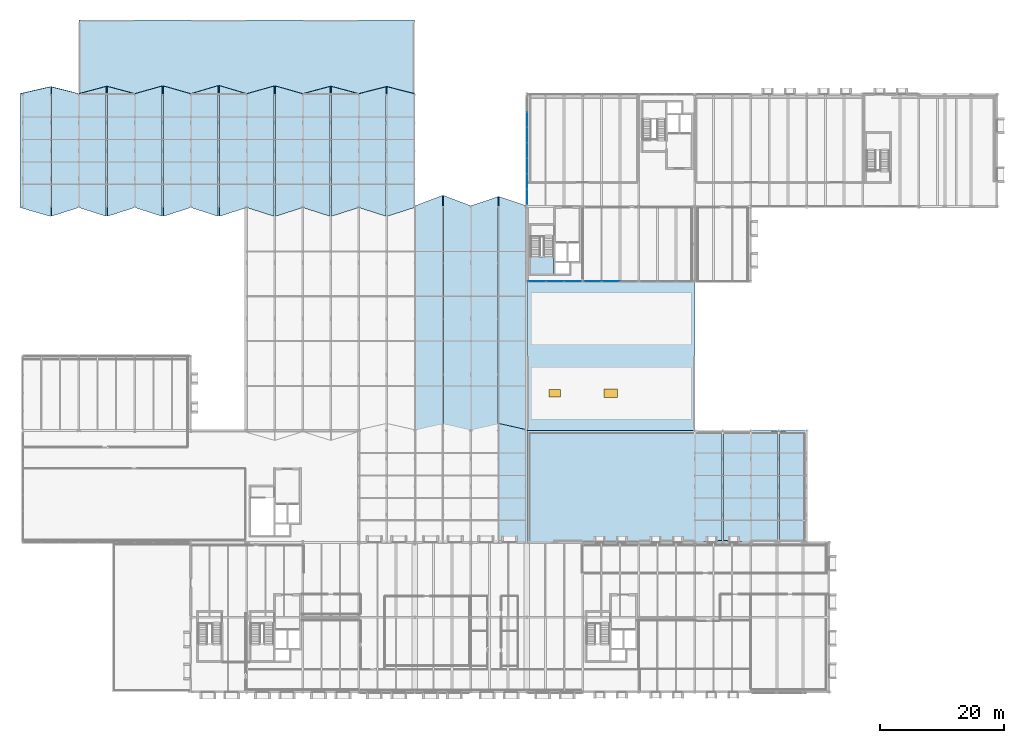
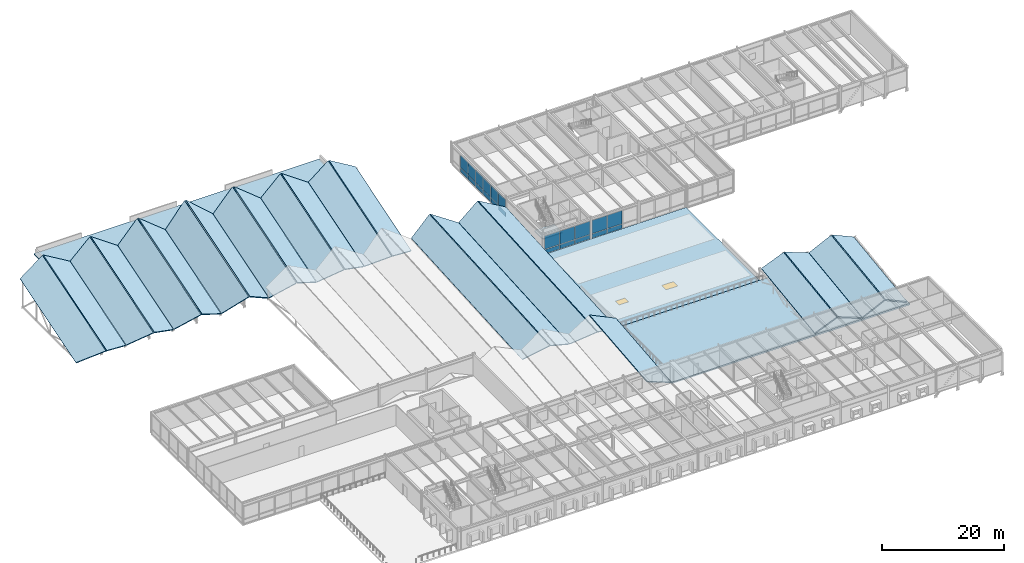
# One storey, part 105 of 142: 27 slabs, 22 plates, 2 windows, 2 openings, 8 elements without a shape of their own.
"""IFC4 building model written with IfcOpenShell, lengths in metres."""

from ifc_helpers import new_model, si_unit, direction, frame, origin, origin_2d, place, context, subcontext, project, spatial, polyline, rectangle, outline, extrude, material, layer, layer_set, type_object, element, fill, aggregate, save


model = new_model("IFC4")

# Units and contexts
model_context = context("Model", 3, precision=1e-05, world=origin(), true_north=direction((0.0, 1.0)))
body_context = subcontext(model_context, "Body", "Model", "MODEL_VIEW")
ifc_project = project(units=[si_unit("LENGTHUNIT", "METRE"), si_unit("AREAUNIT", "SQUARE_METRE"), si_unit("VOLUMEUNIT", "CUBIC_METRE"), si_unit("PLANEANGLEUNIT", "RADIAN"), si_unit("MASSUNIT", "GRAM", prefix="KILO")], contexts=[model_context])

# Site, building, storey
site_placement = place(None, origin())
site = spatial("IfcSite", under=ifc_project, at=site_placement, CompositionType="ELEMENT")
building_placement = place(site_placement, origin())
building = spatial("IfcBuilding", under=site, at=building_placement, Name="Montelvaro Courts of Justice", CompositionType="ELEMENT")
storey_placement = place(building_placement, frame((0.0, 0.0, 14.39990234375)))
storey = spatial("IfcBuildingStorey", under=building, at=storey_placement, Name="L03", CompositionType="ELEMENT", Elevation=14.39990234375)

# Curtain wall, plates
ifc_material_1 = material(Name="Anodised aluminium EN AW-6063", Category="aluminium")
ifc_layer_1 = layer(ifc_material_1, 0.159912109375)
ifc_layer_set_1 = layer_set([ifc_layer_1], Name="Anodised aluminium EN AW-6063")
curtain_wall_type_1 = type_object("IfcCurtainWallType", Name="CurtainWall_14_867x418", PredefinedType="USERDEFINED", material=ifc_layer_set_1)
curtain_wall_1_placement = place(storey_placement, origin())
curtain_wall_1 = element("IfcCurtainWall", 1, at=curtain_wall_1_placement, inside=storey, type_object=curtain_wall_type_1, Name="Curtain Wall CW-14 (L03)", ObjectType="CURTAIN WALL", PredefinedType="USERDEFINED")
ifc_material_2 = material(Name="Low-E solar control double glazing", Category="glass")
ifc_layer_2 = layer(ifc_material_2, 0.028076171875)
ifc_layer_set_2 = layer_set([ifc_layer_2], Name="Low-E solar control double glazing")
plate_type = type_object("IfcPlateType", Name="CurtainWall_Glazed_Panel_28", PredefinedType="CURTAIN_PANEL", material=ifc_layer_set_2)
plate_1_placement = place(storey_placement, frame((100.65283203125, 66.0, 0.0751953125), z_axis=(0.0, 0.0, 1.0), x_axis=(1.0, 0.0, 0.0)))
plate_1 = element("IfcPlate", 2, at=plate_1_placement, type_object=plate_type, Name="CW-14 panel 1.1", PredefinedType="CURTAIN_PANEL", context=body_context, shape_type="SweptSolid", body=[
    extrude(rectangle(XDim=2.785888671875, YDim=0.028076171875, at=origin_2d()), origin(), (0.0, 0.0, 1.0), 0.83740234375),
])
plate_2_placement = place(storey_placement, frame((100.65283203125, 66.0, 0.987548828125), z_axis=(0.0, 0.0, 1.0), x_axis=(1.0, 0.0, 0.0)))
plate_2 = element("IfcPlate", 3, at=plate_2_placement, type_object=plate_type, Name="CW-14 panel 1.2", PredefinedType="CURTAIN_PANEL", context=body_context, shape_type="SweptSolid", body=[
    extrude(rectangle(XDim=2.785888671875, YDim=0.028076171875, at=origin_2d()), origin(), (0.0, 0.0, 1.0), 2.642578125),
])
plate_3_placement = place(storey_placement, frame((103.52001953125, 66.0, 0.0751953125), z_axis=(0.0, 0.0, 1.0), x_axis=(1.0, 0.0, 0.0)))
plate_3 = element("IfcPlate", 4, at=plate_3_placement, type_object=plate_type, Name="CW-14 panel 2.1", PredefinedType="CURTAIN_PANEL", context=body_context, shape_type="SweptSolid", body=[
    extrude(rectangle(XDim=2.818359375, YDim=0.028076171875, at=origin_2d()), origin(), (0.0, 0.0, 1.0), 0.83740234375),
])
plate_4_placement = place(storey_placement, frame((103.52001953125, 66.0, 0.987548828125), z_axis=(0.0, 0.0, 1.0), x_axis=(1.0, 0.0, 0.0)))
plate_4 = element("IfcPlate", 5, at=plate_4_placement, type_object=plate_type, Name="CW-14 panel 2.2", PredefinedType="CURTAIN_PANEL", context=body_context, shape_type="SweptSolid", body=[
    extrude(rectangle(XDim=2.818359375, YDim=0.028076171875, at=origin_2d()), origin(), (0.0, 0.0, 1.0), 2.642578125),
])
plate_5_placement = place(storey_placement, frame((106.386962890625, 66.0, 0.0751953125), z_axis=(0.0, 0.0, 1.0), x_axis=(1.0, 0.0, 0.0)))
plate_5 = element("IfcPlate", 6, at=plate_5_placement, type_object=plate_type, Name="CW-14 panel 3.1", PredefinedType="CURTAIN_PANEL", context=body_context, shape_type="SweptSolid", body=[
    extrude(rectangle(XDim=2.785888671875, YDim=0.028076171875, at=origin_2d()), origin(), (0.0, 0.0, 1.0), 0.83740234375),
])
plate_6_placement = place(storey_placement, frame((106.386962890625, 66.0, 0.987548828125), z_axis=(0.0, 0.0, 1.0), x_axis=(1.0, 0.0, 0.0)))
plate_6 = element("IfcPlate", 7, at=plate_6_placement, type_object=plate_type, Name="CW-14 panel 3.2", PredefinedType="CURTAIN_PANEL", context=body_context, shape_type="SweptSolid", body=[
    extrude(rectangle(XDim=2.785888671875, YDim=0.028076171875, at=origin_2d()), origin(), (0.0, 0.0, 1.0), 2.642578125),
])
aggregate(curtain_wall_1, [plate_1, plate_2, plate_3, plate_4, plate_5, plate_6])

ifc_layer_3 = layer(ifc_material_1, 0.159912109375)
ifc_layer_set_3 = layer_set([ifc_layer_3], Name="Anodised aluminium EN AW-6063")
curtain_wall_type_2 = type_object("IfcCurtainWallType", Name="CurtainWall_18_868x418", PredefinedType="USERDEFINED", material=ifc_layer_set_3)
curtain_wall_2_placement = place(storey_placement, origin())
curtain_wall_2 = element("IfcCurtainWall", 8, at=curtain_wall_2_placement, inside=storey, type_object=curtain_wall_type_2, Name="Curtain Wall CW-18 (L03)", ObjectType="CURTAIN WALL", PredefinedType="USERDEFINED")
plate_7_placement = place(storey_placement, frame((109.620361328125, 66.0, 0.06005859375), z_axis=(0.0, 0.0, 1.0), x_axis=(1.0, 0.0, 0.0)))
plate_7 = element("IfcPlate", 9, at=plate_7_placement, type_object=plate_type, Name="CW-18 panel 1.1", PredefinedType="CURTAIN_PANEL", context=body_context, shape_type="SweptSolid", body=[
    extrude(rectangle(XDim=2.78076171875, YDim=0.028076171875, at=origin_2d()), origin(), (0.0, 0.0, 1.0), 0.860107421875),
])
plate_8_placement = place(storey_placement, frame((109.620361328125, 66.0, 0.97998046875), z_axis=(0.0, 0.0, 1.0), x_axis=(1.0, 0.0, 0.0)))
plate_8 = element("IfcPlate", 10, at=plate_8_placement, type_object=plate_type, Name="CW-18 panel 1.2", PredefinedType="CURTAIN_PANEL", context=body_context, shape_type="SweptSolid", body=[
    extrude(rectangle(XDim=2.78076171875, YDim=0.028076171875, at=origin_2d()), origin(), (0.0, 0.0, 1.0), 2.6650390625),
])
plate_9_placement = place(storey_placement, frame((112.4951171875, 66.0, 0.06005859375), z_axis=(0.0, 0.0, 1.0), x_axis=(1.0, 0.0, 0.0)))
plate_9 = element("IfcPlate", 11, at=plate_9_placement, type_object=plate_type, Name="CW-18 panel 2.1", PredefinedType="CURTAIN_PANEL", context=body_context, shape_type="SweptSolid", body=[
    extrude(rectangle(XDim=2.818359375, YDim=0.028076171875, at=origin_2d()), origin(), (0.0, 0.0, 1.0), 0.860107421875),
])
plate_10_placement = place(storey_placement, frame((112.4951171875, 66.0, 0.97998046875), z_axis=(0.0, 0.0, 1.0), x_axis=(1.0, 0.0, 0.0)))
plate_10 = element("IfcPlate", 12, at=plate_10_placement, type_object=plate_type, Name="CW-18 panel 2.2", PredefinedType="CURTAIN_PANEL", context=body_context, shape_type="SweptSolid", body=[
    extrude(rectangle(XDim=2.818359375, YDim=0.028076171875, at=origin_2d()), origin(), (0.0, 0.0, 1.0), 2.6650390625),
])
aggregate(curtain_wall_2, [plate_7, plate_8, plate_9, plate_10])

ifc_layer_4 = layer(ifc_material_1, 0.159912109375)
ifc_layer_set_4 = layer_set([ifc_layer_4], Name="Anodised aluminium EN AW-6063")
curtain_wall_type_3 = type_object("IfcCurtainWallType", Name="CurtainWall_30_1742x418", PredefinedType="USERDEFINED", material=ifc_layer_set_4)
curtain_wall_3_placement = place(storey_placement, origin())
curtain_wall_3 = element("IfcCurtainWall", 13, at=curtain_wall_3_placement, inside=storey, type_object=curtain_wall_type_3, Name="Curtain Wall CW-30 (L03)", ObjectType="CURTAIN WALL", PredefinedType="USERDEFINED")
plate_11_placement = place(storey_placement, frame((99.050048828125, 91.97705078125, 0.06005859375), z_axis=(0.0, 0.0, 1.0), x_axis=(0.0, -1.0, 0.0)))
plate_11 = element("IfcPlate", 14, at=plate_11_placement, type_object=plate_type, Name="CW-30 panel 2.1", PredefinedType="CURTAIN_PANEL", context=body_context, shape_type="SweptSolid", body=[
    extrude(rectangle(XDim=2.428466796875, YDim=0.028076171875, at=origin_2d()), origin(), (0.0, 0.0, 1.0), 0.860107421875),
])
plate_12_placement = place(storey_placement, frame((99.050048828125, 91.97705078125, 0.980224609375), z_axis=(0.0, 0.0, 1.0), x_axis=(0.0, -1.0, 0.0)))
plate_12 = element("IfcPlate", 15, at=plate_12_placement, type_object=plate_type, Name="CW-30 panel 2.2", PredefinedType="CURTAIN_PANEL", context=body_context, shape_type="SweptSolid", body=[
    extrude(rectangle(XDim=2.428466796875, YDim=0.028076171875, at=origin_2d()), origin(), (0.0, 0.0, 1.0), 2.5048828125),
])
plate_13_placement = place(storey_placement, frame((99.050048828125, 89.488525390625, 0.06005859375), z_axis=(0.0, 0.0, 1.0), x_axis=(0.0, -1.0, 0.0)))
plate_13 = element("IfcPlate", 16, at=plate_13_placement, type_object=plate_type, Name="CW-30 panel 3.1", PredefinedType="CURTAIN_PANEL", context=body_context, shape_type="SweptSolid", body=[
    extrude(rectangle(XDim=2.428466796875, YDim=0.028076171875, at=origin_2d()), origin(), (0.0, 0.0, 1.0), 0.860107421875),
])
plate_14_placement = place(storey_placement, frame((99.050048828125, 89.488525390625, 0.980224609375), z_axis=(0.0, 0.0, 1.0), x_axis=(0.0, -1.0, 0.0)))
plate_14 = element("IfcPlate", 17, at=plate_14_placement, type_object=plate_type, Name="CW-30 panel 3.2", PredefinedType="CURTAIN_PANEL", context=body_context, shape_type="SweptSolid", body=[
    extrude(rectangle(XDim=2.428466796875, YDim=0.028076171875, at=origin_2d()), origin(), (0.0, 0.0, 1.0), 2.5048828125),
])
plate_15_placement = place(storey_placement, frame((99.050048828125, 87.0, 0.06005859375), z_axis=(0.0, 0.0, 1.0), x_axis=(0.0, -1.0, 0.0)))
plate_15 = element("IfcPlate", 18, at=plate_15_placement, type_object=plate_type, Name="CW-30 panel 4.1", PredefinedType="CURTAIN_PANEL", context=body_context, shape_type="SweptSolid", body=[
    extrude(rectangle(XDim=2.428466796875, YDim=0.028076171875, at=origin_2d()), origin(), (0.0, 0.0, 1.0), 0.860107421875),
])
plate_16_placement = place(storey_placement, frame((99.050048828125, 87.0, 0.980224609375), z_axis=(0.0, 0.0, 1.0), x_axis=(0.0, -1.0, 0.0)))
plate_16 = element("IfcPlate", 19, at=plate_16_placement, type_object=plate_type, Name="CW-30 panel 4.2", PredefinedType="CURTAIN_PANEL", context=body_context, shape_type="SweptSolid", body=[
    extrude(rectangle(XDim=2.428466796875, YDim=0.028076171875, at=origin_2d()), origin(), (0.0, 0.0, 1.0), 2.5048828125),
])
plate_17_placement = place(storey_placement, frame((99.050048828125, 84.511474609375, 0.06005859375), z_axis=(0.0, 0.0, 1.0), x_axis=(0.0, -1.0, 0.0)))
plate_17 = element("IfcPlate", 20, at=plate_17_placement, type_object=plate_type, Name="CW-30 panel 5.1", PredefinedType="CURTAIN_PANEL", context=body_context, shape_type="SweptSolid", body=[
    extrude(rectangle(XDim=2.428466796875, YDim=0.028076171875, at=origin_2d()), origin(), (0.0, 0.0, 1.0), 0.860107421875),
])
plate_18_placement = place(storey_placement, frame((99.050048828125, 84.511474609375, 0.980224609375), z_axis=(0.0, 0.0, 1.0), x_axis=(0.0, -1.0, 0.0)))
plate_18 = element("IfcPlate", 21, at=plate_18_placement, type_object=plate_type, Name="CW-30 panel 5.2", PredefinedType="CURTAIN_PANEL", context=body_context, shape_type="SweptSolid", body=[
    extrude(rectangle(XDim=2.428466796875, YDim=0.028076171875, at=origin_2d()), origin(), (0.0, 0.0, 1.0), 2.5048828125),
])
plate_19_placement = place(storey_placement, frame((99.050048828125, 82.02294921875, 0.06005859375), z_axis=(0.0, 0.0, 1.0), x_axis=(0.0, -1.0, 0.0)))
plate_19 = element("IfcPlate", 22, at=plate_19_placement, type_object=plate_type, Name="CW-30 panel 6.1", PredefinedType="CURTAIN_PANEL", context=body_context, shape_type="SweptSolid", body=[
    extrude(rectangle(XDim=2.428466796875, YDim=0.028076171875, at=origin_2d()), origin(), (0.0, 0.0, 1.0), 0.860107421875),
])
plate_20_placement = place(storey_placement, frame((99.050048828125, 82.02294921875, 0.980224609375), z_axis=(0.0, 0.0, 1.0), x_axis=(0.0, -1.0, 0.0)))
plate_20 = element("IfcPlate", 23, at=plate_20_placement, type_object=plate_type, Name="CW-30 panel 6.2", PredefinedType="CURTAIN_PANEL", context=body_context, shape_type="SweptSolid", body=[
    extrude(rectangle(XDim=2.428466796875, YDim=0.028076171875, at=origin_2d()), origin(), (0.0, 0.0, 1.0), 2.5048828125),
])
plate_21_placement = place(storey_placement, frame((99.050048828125, 79.54931640625, 0.06005859375), z_axis=(0.0, 0.0, 1.0), x_axis=(0.0, -1.0, 0.0)))
plate_21 = element("IfcPlate", 24, at=plate_21_placement, type_object=plate_type, Name="CW-30 panel 7.1", PredefinedType="CURTAIN_PANEL", context=body_context, shape_type="SweptSolid", body=[
    extrude(rectangle(XDim=2.398681640625, YDim=0.028076171875, at=origin_2d()), origin(), (0.0, 0.0, 1.0), 0.860107421875),
])
plate_22_placement = place(storey_placement, frame((99.050048828125, 79.54931640625, 0.980224609375), z_axis=(0.0, 0.0, 1.0), x_axis=(0.0, -1.0, 0.0)))
plate_22 = element("IfcPlate", 25, at=plate_22_placement, type_object=plate_type, Name="CW-30 panel 7.2", PredefinedType="CURTAIN_PANEL", context=body_context, shape_type="SweptSolid", body=[
    extrude(rectangle(XDim=2.398681640625, YDim=0.028076171875, at=origin_2d()), origin(), (0.0, 0.0, 1.0), 2.5048828125),
])
aggregate(curtain_wall_3, [plate_11, plate_12, plate_13, plate_14, plate_15, plate_16, plate_17, plate_18, plate_19, plate_20, plate_21, plate_22])

# Slab, openings, windows
ifc_material_3 = material(Name="Concrete C35/45", Category="concrete")
ifc_layer_5 = layer(ifc_material_3, 0.199951171875)
ifc_layer_set_5 = layer_set([ifc_layer_5], Name="Concrete C35/45")
slab_type_1 = type_object("IfcSlabType", Name="HeadHouseRoof_200", PredefinedType="ROOF", material=ifc_layer_set_5)
slab_1_placement = place(storey_placement, frame((0.0, 0.0, -0.199951171875)))
slab_1 = element("IfcSlab", 26, at=slab_1_placement, inside=storey, type_object=slab_type_1, Name="Roof Slab SR-06 L03", PredefinedType="ROOF", context=body_context, shape_type="SweptSolid", body=[
    extrude(outline(polyline([(99.050048828125, 42.0), (126.0, 42.0), (126.0, 66.0), (99.050048828125, 66.0), (99.050048828125, 42.0)])), origin(), (0.0, 0.0, 1.0), 0.199951171875),
])
opening_1_placement = place(slab_1_placement, frame((103.5, 48.0, -0.014892578125)))
opening_1 = element("IfcOpeningElement", 27, at=opening_1_placement, cuts=slab_1, Name="Opening SK-03", PredefinedType="OPENING", context=body_context, shape_type="SweptSolid", body=[
    extrude(rectangle(XDim=1.800048828125, YDim=1.199951171875, at=origin_2d()), origin(), (0.0, 0.0, 1.0), 0.229736328125),
])
opening_2_placement = place(slab_1_placement, frame((112.5, 48.0, -0.014892578125)))
opening_2 = element("IfcOpeningElement", 28, at=opening_2_placement, cuts=slab_1, Name="Opening SK-04", PredefinedType="OPENING", context=body_context, shape_type="SweptSolid", body=[
    extrude(rectangle(XDim=2.199951171875, YDim=1.39990234375, at=origin_2d()), origin(), (0.0, 0.0, 1.0), 0.229736328125),
])
window_type_1 = type_object("IfcWindowType", Name="Skylight_180x120", PartitioningType="SINGLE_PANEL", PredefinedType="SKYLIGHT", material=ifc_material_2)
window_1_placement = place(slab_1_placement, frame((103.5, 48.0, 0.14990234375)))
window_1 = element("IfcWindow", 29, at=window_1_placement, inside=storey, type_object=window_type_1, Name="Roof Skylight Hatch SK-03-2.1", OverallHeight=1.199951171875, OverallWidth=1.800048828125, PartitioningType="SINGLE_PANEL", PredefinedType="SKYLIGHT", context=body_context, shape_type="SweptSolid", body=[
    extrude(rectangle(XDim=1.800048828125, YDim=1.199951171875, at=origin_2d()), origin(), (0.0, 0.0, 1.0), 0.050048828125),
])
fill(opening_1, window_1)
window_type_2 = type_object("IfcWindowType", Name="Skylight_220x140", PartitioningType="SINGLE_PANEL", PredefinedType="SKYLIGHT", material=ifc_material_2)
window_2_placement = place(slab_1_placement, frame((112.5, 48.0, 0.14990234375)))
window_2 = element("IfcWindow", 30, at=window_2_placement, inside=storey, type_object=window_type_2, Name="Roof Skylight Hatch SK-04-2.2", OverallHeight=1.39990234375, OverallWidth=2.199951171875, PartitioningType="SINGLE_PANEL", PredefinedType="SKYLIGHT", context=body_context, shape_type="SweptSolid", body=[
    extrude(rectangle(XDim=2.199951171875, YDim=1.39990234375, at=origin_2d()), origin(), (0.0, 0.0, 1.0), 0.050048828125),
])
fill(opening_2, window_2)

# Slab
slab_2_placement = place(storey_placement, frame((0.0, 0.0, -0.199951171875)))
element("IfcSlab", 31, at=slab_2_placement, inside=storey, type_object=slab_type_1, Name="Roof Slab SR-06 L03", PredefinedType="ROOF", context=body_context, shape_type="SweptSolid", body=[
    extrude(outline(polyline([(27.0, 96.0), (80.949951171875, 96.0), (80.949951171875, 108.0), (27.0, 108.0), (27.0, 96.0)])), origin(), (0.0, 0.0, 1.0), 0.199951171875),
])

# Roof, slabs
ifc_material_4 = material(Name="Precast concrete C45/55", Category="concrete")
ifc_layer_6 = layer(ifc_material_4, 0.199951171875)
ifc_layer_set_6 = layer_set([ifc_layer_6], Name="Precast concrete C45/55")
roof_type_1 = type_object("IfcRoofType", Name="PavilionFoldedRoof", PredefinedType="PAVILION_ROOF", material=ifc_layer_set_6)
roof_1_placement = place(storey_placement, origin())
roof_1 = element("IfcRoof", 32, at=roof_1_placement, inside=storey, type_object=roof_type_1, Name="Public Hall and Judicial Passage Sculpted Canopy Roof V4", PredefinedType="PAVILION_ROOF")
ifc_layer_7 = layer(ifc_material_4, 0.14990234375)
ifc_layer_set_7 = layer_set([ifc_layer_7], Name="Precast concrete C45/55")
slab_type_2 = type_object("IfcSlabType", Name="RoofSlab_150", PredefinedType="ROOF", material=ifc_layer_set_7)
slab_3_placement = place(storey_placement, frame((81.070068359375, 41.85009765625, 0.000732421875), z_axis=(-0.440546676507, -0.054760192686, 0.896058004326), x_axis=(0.868630917625, -0.278072184643, 0.410068517535)))
slab_3 = element("IfcSlab", 33, at=slab_3_placement, type_object=slab_type_2, Name="V4 Folded Roof Slab 4A", PredefinedType="ROOF", context=body_context, shape_type="SweptSolid", body=[
    extrude(outline(polyline([(0.0, 0.0), (5.035209062738719, 1.1102230246251565e-16), (-4.921410647236494, 38.14803036234866), (-9.184326697068366, 35.18870058010615), (0.0, 0.0)])), origin(), (0.0, 0.0, -1.0), 0.14990234375),
])
slab_4_placement = place(storey_placement, frame((85.606201171875, 40.449951171875, 2.0654296875), z_axis=(0.440546676507, -0.054760192686, 0.896058004326), x_axis=(0.868630917625, 0.278072184643, -0.410068517535)))
slab_4 = element("IfcSlab", 34, at=slab_4_placement, type_object=slab_type_2, Name="V4 Folded Roof Slab 4B", PredefinedType="ROOF", context=body_context, shape_type="SweptSolid", body=[
    extrude(outline(polyline([(0.0, 0.0), (5.035209062738719, -1.1102230246251565e-16), (14.219535759807085, 35.18870058010615), (9.956619709975213, 38.14803036234866), (0.0, 0.0)])), origin(), (0.0, 0.0, -1.0), 0.14990234375),
])
slab_5_placement = place(storey_placement, frame((90.02001953125, 41.85009765625, -0.0009765625), z_axis=(-0.372566949125, -0.056605487073, 0.926277327399), x_axis=(0.894977956696, -0.285834270531, 0.342510184985)))
slab_5 = element("IfcSlab", 35, at=slab_5_placement, type_object=slab_type_2, Name="V4 Folded Roof Slab 5A", PredefinedType="ROOF", context=body_context, shape_type="SweptSolid", body=[
    extrude(outline(polyline([(0.0, 0.0), (4.89846403835457, -2.7755575615628914e-16), (-5.476917959923909, 37.84329141337239), (-9.615950961649803, 35.07320904201455), (0.0, 0.0)])), origin(), (0.0, 0.0, -1.0), 0.14990234375),
])
slab_6_placement = place(storey_placement, frame((94.5458984375, 40.449951171875, 1.6767578125), z_axis=(0.372566949125, -0.056605487073, 0.926277327399), x_axis=(0.894977956696, 0.285834270531, -0.342510184985)))
slab_6 = element("IfcSlab", 36, at=slab_6_placement, type_object=slab_type_2, Name="V4 Folded Roof Slab 5B", PredefinedType="ROOF", context=body_context, shape_type="SweptSolid", body=[
    extrude(outline(polyline([(0.0, 0.0), (4.89846403835457, 2.7755575615628914e-16), (14.514415000004373, 35.073209042014554), (10.375381998278478, 37.8432914133724), (0.0, 0.0)])), origin(), (0.0, 0.0, -1.0), 0.14990234375),
])
aggregate(roof_1, [slab_3, slab_4, slab_5, slab_6])

# Roof, slab
roof_2_placement = place(storey_placement, origin())
roof_2 = element("IfcRoof", 37, at=roof_2_placement, inside=storey, type_object=roof_type_1, Name="South Link Bridge Sculpted Canopy Roof V4", PredefinedType="PAVILION_ROOF")
slab_7_placement = place(storey_placement, frame((94.53759765625, 24.35009765625, 1.51416015625), z_axis=(0.31638626829, -0.094391639329, 0.943922638601), x_axis=(0.944246810169, -0.064211918449, -0.322916074258)))
slab_7 = element("IfcSlab", 38, at=slab_7_placement, type_object=slab_type_2, Name="V4 Folded Roof Slab 3B", PredefinedType="ROOF", context=body_context, shape_type="SweptSolid", body=[
    extrude(outline(polyline([(0.0, 0.0), (4.672908521228591, -9.71445146547012e-17), (2.926185188080284, 18.106075416579262), (-1.8142159033216538, 18.806255244639864), (0.0, 0.0)])), origin(), (0.0, 0.0, -1.0), 0.14990234375),
])
aggregate(roof_2, [slab_7])

# Roof, slabs
roof_3_placement = place(storey_placement, origin())
roof_3 = element("IfcRoof", 39, at=roof_3_placement, inside=storey, type_object=roof_type_1, Name="Ceremonial Courtroom Sculpted Folded-Plate Roof V1", PredefinedType="PAVILION_ROOF")
ifc_layer_8 = layer(ifc_material_4, 0.199951171875)
ifc_layer_set_8 = layer_set([ifc_layer_8], Name="Precast concrete C45/55")
slab_type_3 = type_object("IfcSlabType", Name="RoofSlab_200", PredefinedType="ROOF", material=ifc_layer_set_8)
slab_8_placement = place(storey_placement, frame((17.550048828125, 77.85009765625, -0.2265625), z_axis=(-0.356794157102, -0.277517690494, 0.892010011671), x_axis=(0.92087082634, -0.265105871614, 0.28585975238)))
slab_8 = element("IfcSlab", 40, at=slab_8_placement, type_object=slab_type_3, Name="V1 Folded Roof Slab 1A", PredefinedType="ROOF", context=body_context, shape_type="SweptSolid", body=[
    extrude(outline(polyline([(0.0, 0.0), (5.281446927234671, 2.220446049250313e-16), (1.6151495456396745, 21.48436674289061), (-3.223883370899971, 18.891896902751327), (0.0, 0.0)])), origin(), (0.0, 0.0, -1.0), 0.199951171875),
])
slab_9_placement = place(storey_placement, frame((22.58642578125, 76.449951171875, 1.283203125), z_axis=(0.356793237821, -0.277517794795, 0.892010346923), x_axis=(0.915904948032, 0.291881211745, -0.275542164469)))
slab_9 = element("IfcSlab", 41, at=slab_9_placement, type_object=slab_type_3, Name="V1 Folded Roof Slab 1B", PredefinedType="ROOF", context=body_context, shape_type="SweptSolid", body=[
    extrude(outline(polyline([(0.0, 0.0), (4.7969603204544935, 5.551115123125783e-17), (8.569568922047596, 18.79001375498529), (4.290322277790882, 21.3685021839624), (0.0, 0.0)])), origin(), (0.0, 0.0, -1.0), 0.199951171875),
])
slab_10_placement = place(storey_placement, frame((27.02001953125, 77.85009765625, -0.036376953125), z_axis=(-0.438602567062, -0.266969082981, 0.858111471138), x_axis=(0.886749732263, -0.2836426173, 0.364995586251)))
slab_10 = element("IfcSlab", 42, at=slab_10_placement, type_object=slab_type_3, Name="V1 Folded Roof Slab 2A", PredefinedType="ROOF", context=body_context, shape_type="SweptSolid", body=[
    extrude(outline(polyline([(0.0, 0.0), (4.936253365842561, -1.1102230246251565e-16), (1.3867230884149837, 21.565091097862314), (-3.1125534548141665, 18.91055799180596), (0.0, 0.0)])), origin(), (0.0, 0.0, -1.0), 0.199951171875),
])
slab_11_placement = place(storey_placement, frame((31.602783203125, 76.449951171875, 1.765380859375), z_axis=(0.438602567062, -0.266969082981, 0.858111471138), x_axis=(0.886749732263, 0.2836426173, -0.364995586251)))
slab_11 = element("IfcSlab", 43, at=slab_11_placement, type_object=slab_type_3, Name="V1 Folded Roof Slab 2B", PredefinedType="ROOF", context=body_context, shape_type="SweptSolid", body=[
    extrude(outline(polyline([(0.0, 0.0), (4.936253365842561, 1.1102230246251565e-16), (8.048806820656727, 18.91055799180596), (3.549530277427577, 21.565091097862314), (0.0, 0.0)])), origin(), (0.0, 0.0, -1.0), 0.199951171875),
])
slab_12_placement = place(storey_placement, frame((36.02001953125, 77.85009765625, -0.0341796875), z_axis=(-0.510777222475, -0.255392940886, 0.8209025976), x_axis=(0.852535252673, -0.273598920487, 0.445339503815)))
slab_12 = element("IfcSlab", 44, at=slab_12_placement, type_object=slab_type_3, Name="V1 Folded Roof Slab 3A", PredefinedType="ROOF", context=body_context, shape_type="SweptSolid", body=[
    extrude(outline(polyline([(0.0, 0.0), (5.11746558651657, -1.1102230246251565e-16), (2.290258972593787, 21.741240011749717), (-2.4713289685159507, 19.004992125758914), (0.0, 0.0)])), origin(), (0.0, 0.0, -1.0), 0.199951171875),
])
slab_13_placement = place(storey_placement, frame((40.6171875, 76.449951171875, 2.244873046875), z_axis=(0.510777222475, -0.255392940886, 0.8209025976), x_axis=(0.852535252673, 0.273598920487, -0.445339503815)))
slab_13 = element("IfcSlab", 45, at=slab_13_placement, type_object=slab_type_3, Name="V1 Folded Roof Slab 3B", PredefinedType="ROOF", context=body_context, shape_type="SweptSolid", body=[
    extrude(outline(polyline([(0.0, 0.0), (5.11746558651657, 1.1102230246251565e-16), (7.58879455503252, 19.004992125758914), (2.8272066139227823, 21.74124001174972), (0.0, 0.0)])), origin(), (0.0, 0.0, -1.0), 0.199951171875),
])
slab_14_placement = place(storey_placement, frame((45.02001953125, 77.85009765625, -0.0322265625), z_axis=(-0.561753880735, -0.245761483796, 0.789958144817), x_axis=(0.822871610692, -0.264695791196, 0.502810551243)))
slab_14 = element("IfcSlab", 46, at=slab_14_placement, type_object=slab_type_3, Name="V1 Folded Roof Slab 4A", PredefinedType="ROOF", context=body_context, shape_type="SweptSolid", body=[
    extrude(outline(polyline([(0.0, 0.0), (5.2897037243083505, 2.220446049250313e-16), (3.0170963034073006, 21.8655803127204), (-1.9813228711974311, 19.06223419089278), (0.0, 0.0)])), origin(), (0.0, 0.0, -1.0), 0.199951171875),
])
slab_15_placement = place(storey_placement, frame((49.627197265625, 76.449951171875, 2.62744140625), z_axis=(0.561753880735, -0.245761483796, 0.789958144817), x_axis=(0.822871610692, 0.264695791196, -0.502810551243)))
slab_15 = element("IfcSlab", 47, at=slab_15_placement, type_object=slab_type_3, Name="V1 Folded Roof Slab 4B", PredefinedType="ROOF", context=body_context, shape_type="SweptSolid", body=[
    extrude(outline(polyline([(0.0, 0.0), (5.2897037243083505, -2.220446049250313e-16), (7.2710265955057825, 19.062234190892784), (2.2726074209010494, 21.8655803127204), (0.0, 0.0)])), origin(), (0.0, 0.0, -1.0), 0.199951171875),
])
slab_16_placement = place(storey_placement, frame((54.02001953125, 77.85009765625, -0.0341796875), z_axis=(-0.510777222475, -0.255392940886, 0.8209025976), x_axis=(0.852535252673, -0.273598920487, 0.445339503815)))
slab_16 = element("IfcSlab", 48, at=slab_16_placement, type_object=slab_type_3, Name="V1 Folded Roof Slab 5A", PredefinedType="ROOF", context=body_context, shape_type="SweptSolid", body=[
    extrude(outline(polyline([(0.0, 0.0), (5.11746558651657, -1.1102230246251565e-16), (2.290258972593787, 21.741240011749717), (-2.4713289685159507, 19.004992125758914), (0.0, 0.0)])), origin(), (0.0, 0.0, -1.0), 0.199951171875),
])
slab_17_placement = place(storey_placement, frame((58.6171875, 76.449951171875, 2.244873046875), z_axis=(0.510777222475, -0.255392940886, 0.8209025976), x_axis=(0.852535252673, 0.273598920487, -0.445339503815)))
slab_17 = element("IfcSlab", 49, at=slab_17_placement, type_object=slab_type_3, Name="V1 Folded Roof Slab 5B", PredefinedType="ROOF", context=body_context, shape_type="SweptSolid", body=[
    extrude(outline(polyline([(0.0, 0.0), (5.11746558651657, 1.1102230246251565e-16), (7.58879455503252, 19.004992125758914), (2.8272066139227823, 21.74124001174972), (0.0, 0.0)])), origin(), (0.0, 0.0, -1.0), 0.199951171875),
])
slab_18_placement = place(storey_placement, frame((63.02001953125, 77.85009765625, -0.036376953125), z_axis=(-0.438602567062, -0.266969082981, 0.858111471138), x_axis=(0.886749732263, -0.2836426173, 0.364995586251)))
slab_18 = element("IfcSlab", 50, at=slab_18_placement, type_object=slab_type_3, Name="V1 Folded Roof Slab 6A", PredefinedType="ROOF", context=body_context, shape_type="SweptSolid", body=[
    extrude(outline(polyline([(0.0, 0.0), (4.936253365842561, -1.1102230246251565e-16), (1.3867230884149837, 21.565091097862314), (-3.1125534548141665, 18.91055799180596), (0.0, 0.0)])), origin(), (0.0, 0.0, -1.0), 0.199951171875),
])
slab_19_placement = place(storey_placement, frame((67.602783203125, 76.449951171875, 1.765380859375), z_axis=(0.438602567062, -0.266969082981, 0.858111471138), x_axis=(0.886749732263, 0.2836426173, -0.364995586251)))
slab_19 = element("IfcSlab", 51, at=slab_19_placement, type_object=slab_type_3, Name="V1 Folded Roof Slab 6B", PredefinedType="ROOF", context=body_context, shape_type="SweptSolid", body=[
    extrude(outline(polyline([(0.0, 0.0), (4.936253365842561, 1.1102230246251565e-16), (8.048806820656727, 18.91055799180596), (3.549530277427577, 21.565091097862314), (0.0, 0.0)])), origin(), (0.0, 0.0, -1.0), 0.199951171875),
])
slab_20_placement = place(storey_placement, frame((72.02001953125, 77.85009765625, -0.03857421875), z_axis=(-0.358545876171, -0.277315561792, 0.89137025633), x_axis=(0.915063104335, -0.293303327097, 0.276826070663)))
slab_20 = element("IfcSlab", 52, at=slab_20_placement, type_object=slab_type_3, Name="V1 Folded Roof Slab 7A", PredefinedType="ROOF", context=body_context, shape_type="SweptSolid", body=[
    extrude(outline(polyline([(0.0, 0.0), (4.773648233437751, 3.885780586188048e-16), (0.4617526023384375, 21.365422487430816), (-3.791323295415047, 18.786246571314024), (0.0, 0.0)])), origin(), (0.0, 0.0, -1.0), 0.199951171875),
])
slab_21_placement = place(storey_placement, frame((76.561767578125, 76.449951171875, 1.282958984375), z_axis=(0.358545876171, -0.277315561792, 0.89137025633), x_axis=(0.915063104335, 0.293303327097, -0.276826070663)))
slab_21 = element("IfcSlab", 53, at=slab_21_placement, type_object=slab_type_3, Name="V1 Folded Roof Slab 7B", PredefinedType="ROOF", context=body_context, shape_type="SweptSolid", body=[
    extrude(outline(polyline([(0.0, 0.0), (4.773648233437751, -3.885780586188048e-16), (8.564971528852796, 18.786246571314024), (4.311895631099312, 21.365422487430816), (0.0, 0.0)])), origin(), (0.0, 0.0, -1.0), 0.199951171875),
])
aggregate(roof_3, [slab_8, slab_9, slab_10, slab_11, slab_12, slab_13, slab_14, slab_15, slab_16, slab_17, slab_18, slab_19, slab_20, slab_21])

ifc_layer_9 = layer(ifc_material_4, 0.199951171875)
ifc_layer_set_9 = layer_set([ifc_layer_9], Name="Precast concrete C45/55")
roof_type_2 = type_object("IfcRoofType", Name="GableNorthLightRoof", PredefinedType="GABLE_ROOF", material=ifc_layer_set_9)
roof_4_placement = place(storey_placement, origin())
roof_4 = element("IfcRoof", 54, at=roof_4_placement, inside=storey, type_object=roof_type_2, Name="Wedding and Citizen Hall Folded Canopy Roof V4E", PredefinedType="GABLE_ROOF")
ifc_layer_10 = layer(ifc_material_4, 0.239990234375)
ifc_layer_set_10 = layer_set([ifc_layer_10], Name="Precast concrete C45/55")
slab_type_4 = type_object("IfcSlabType", Name="RoofSlab_240", PredefinedType="ROOF", material=ifc_layer_set_10)
slab_22_placement = place(storey_placement, frame((126.050048828125, 24.050048828125, 0.343505859375), z_axis=(-0.313718398714, -0.125491576036, 0.941186820271), x_axis=(0.944050884306, 0.064973877853, 0.323336238361)))
slab_22 = element("IfcSlab", 55, at=slab_22_placement, type_object=slab_type_4, Name="V4 Folded Roof Slab 1A", PredefinedType="ROOF", context=body_context, shape_type="SweptSolid", body=[
    extrude(outline(polyline([(0.0, 0.0), (4.617991692078339, -2.7755575615628914e-17), (6.50407623091881, 17.503051976608248), (1.8860845388404712, 17.503051976608248), (0.0, 0.0)])), origin(), (0.0, 0.0, -1.0), 0.239990234375),
])
slab_23_placement = place(storey_placement, frame((130.59033203125, 24.35009765625, 1.836669921875), z_axis=(0.313718463729, -0.125491573197, 0.941186798979), x_axis=(0.94409612467, -0.064532488166, -0.323292538353)))
slab_23 = element("IfcSlab", 56, at=slab_23_placement, type_object=slab_type_4, Name="V4 Folded Roof Slab 1B", PredefinedType="ROOF", context=body_context, shape_type="SweptSolid", body=[
    extrude(outline(polyline([(0.0, 0.0), (4.649577858436759, 5.551115123125783e-17), (2.7712972231465693, 17.503891145645213), (-1.878280635290189, 17.503891145645213), (0.0, 0.0)])), origin(), (0.0, 0.0, -1.0), 0.239990234375),
])
slab_24_placement = place(storey_placement, frame((135.02001953125, 24.050048828125, 0.334716796875), z_axis=(-0.368609643787, -0.122857316361, 0.921429872711), x_axis=(0.923659748562, 0.063325774349, 0.377945121929)))
slab_24 = element("IfcSlab", 57, at=slab_24_placement, type_object=slab_type_4, Name="V4 Folded Roof Slab 2A", PredefinedType="ROOF", context=body_context, shape_type="SweptSolid", body=[
    extrude(outline(polyline([(0.0, 0.0), (4.7381785885601175, -1.1102230246251565e-16), (6.722560115314859, 17.492180348366453), (1.984381526754741, 17.49218034836645), (0.0, 0.0)])), origin(), (0.0, 0.0, -1.0), 0.239990234375),
])
slab_25_placement = place(storey_placement, frame((139.603515625, 24.35009765625, 2.12548828125), z_axis=(0.368583722249, -0.122858674779, 0.921440060842), x_axis=(0.922823450396, -0.071062031362, -0.378612027143)))
slab_25 = element("IfcSlab", 58, at=slab_25_placement, type_object=slab_type_4, Name="V4 Folded Roof Slab 2B", PredefinedType="ROOF", context=body_context, shape_type="SweptSolid", body=[
    extrude(outline(polyline([(0.0, 0.0), (4.222350844385149, -2.7755575615628914e-17), (2.1014203487144973, 17.476149381830005), (-2.1209304956706516, 17.476149381830005), (0.0, 0.0)])), origin(), (0.0, 0.0, -1.0), 0.239990234375),
])
aggregate(roof_4, [slab_22, slab_23, slab_24, slab_25])

# Stair, slab
stair_type = type_object("IfcStairType", Name="ProtectedStair_155", PredefinedType="HALF_TURN_STAIR", material=ifc_material_3)
stair_placement = place(storey_placement, origin())
stair = element("IfcStair", 59, at=stair_placement, inside=storey, type_object=stair_type, Name="Protected Stair ST-K4-L03", PredefinedType="HALF_TURN_STAIR")
ifc_layer_11 = layer(ifc_material_3, 0.199951171875)
ifc_layer_set_11 = layer_set([ifc_layer_11], Name="Concrete C35/45")
slab_type_5 = type_object("IfcSlabType", Name="StairLanding_200", PredefinedType="LANDING", material=ifc_layer_set_11)
slab_26_placement = place(storey_placement, frame((0.0, 0.0, 2.050048828125)))
slab_26 = element("IfcSlab", 60, at=slab_26_placement, type_object=slab_type_5, Name="ST-K4-L03 landing 1", PredefinedType="LANDING", context=body_context, shape_type="SweptSolid", body=[
    extrude(outline(polyline([(99.60009765625, 67.199951171875), (103.300048828125, 67.199951171875), (103.300048828125, 69.93505859375), (99.60009765625, 69.93505859375), (99.60009765625, 67.199951171875)])), origin(), (0.0, 0.0, 1.0), 0.199951171875),
])
aggregate(stair, [slab_26])

# Slab
ifc_layer_12 = layer(ifc_material_3, 0.300048828125)
ifc_layer_set_12 = layer_set([ifc_layer_12], Name="Concrete C35/45")
slab_type_6 = type_object("IfcSlabType", Name="TerraceSlab_300", PredefinedType="FLOOR", material=ifc_layer_set_12)
slab_27_placement = place(storey_placement, frame((0.0, 0.0, -0.2998046875)))
element("IfcSlab", 61, at=slab_27_placement, inside=storey, type_object=slab_type_6, Name="Registry Sedum Roof Garden", PredefinedType="FLOOR", context=body_context, shape_type="SweptSolid", body=[
    extrude(outline(polyline([(99.050048828125, 24.0), (144.0, 24.0), (144.0, 42.0), (99.050048828125, 42.0), (99.050048828125, 24.0)])), origin(), (0.0, 0.0, 1.0), 0.2998046875),
])

save(model, "model.ifc")
